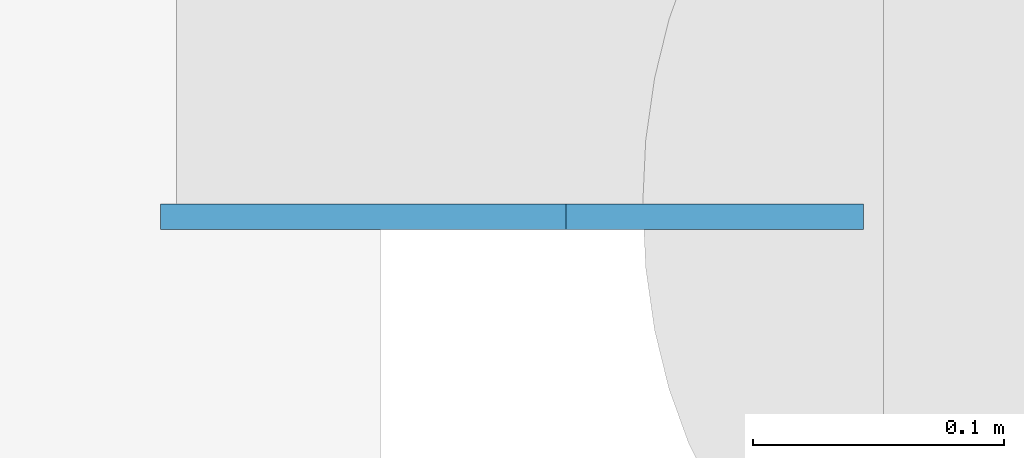
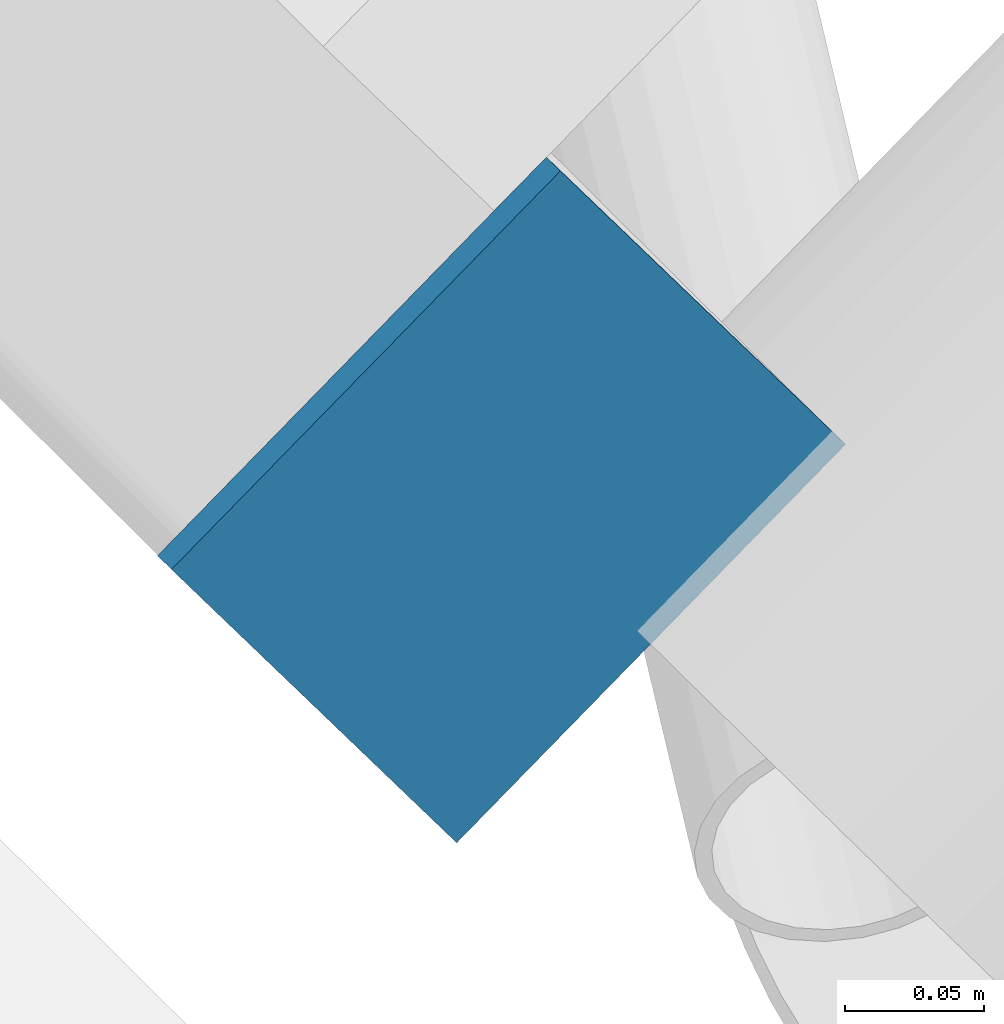
# One storey, part 123 of 153: 1 discrete accessory.
"""IFC4 building model written with IfcOpenShell, lengths in metres."""

from ifc_helpers import new_model, si_unit, direction, frame, origin, origin_2d, place, context, subcontext, project, spatial, rectangle, extrude, material, type_object, element, save


model = new_model("IFC4")

# Units and contexts
model_context = context("Model", 3, precision=1e-05, world=origin(), true_north=direction((0.0, 1.0)))
body_context = subcontext(model_context, "Body", "Model", "MODEL_VIEW")
ifc_project = project(units=[si_unit("LENGTHUNIT", "METRE"), si_unit("AREAUNIT", "SQUARE_METRE"), si_unit("VOLUMEUNIT", "CUBIC_METRE"), si_unit("PLANEANGLEUNIT", "RADIAN"), si_unit("MASSUNIT", "GRAM", prefix="KILO")], contexts=[model_context])

# Site, building, storey
site_placement = place(None, origin())
site = spatial("IfcSite", under=ifc_project, at=site_placement, CompositionType="ELEMENT")
building_placement = place(site_placement, origin())
building = spatial("IfcBuilding", under=site, at=building_placement, Name="Baradari Gate Terminus", CompositionType="ELEMENT")
storey_placement = place(building_placement, frame((0.0, 0.0, 11.699951171875)))
storey = spatial("IfcBuildingStorey", under=building, at=storey_placement, Name="L02", CompositionType="ELEMENT", Elevation=11.699951171875)

# Discrete accessory
ifc_material = material(Name="Steel S355", Category="steel")
discrete_accessory_type = type_object("IfcDiscreteAccessoryType", Name="Hollow section end plate EP-1 200x200x10", PredefinedType="ANCHORPLATE", material=ifc_material)
discrete_accessory_placement = place(storey_placement, frame((134.852294921875, 81.5400390625, 0.323974609375), z_axis=(0.0, 1.0, 0.0), x_axis=(-0.80640499586, 0.0, -0.591363663621)))
element("IfcDiscreteAccessory", 1, at=discrete_accessory_placement, inside=storey, type_object=discrete_accessory_type, Name="End plate EP-1 at the start of TR/L02/VP1-PU00", PredefinedType="ANCHORPLATE", context=body_context, shape_type="SweptSolid", body=[
    extrude(rectangle(XDim=0.199951171875, YDim=0.199951171875, at=origin_2d()), origin(), (0.0, 0.0, 1.0), 0.010009765625),
])

save(model, "model.ifc")
